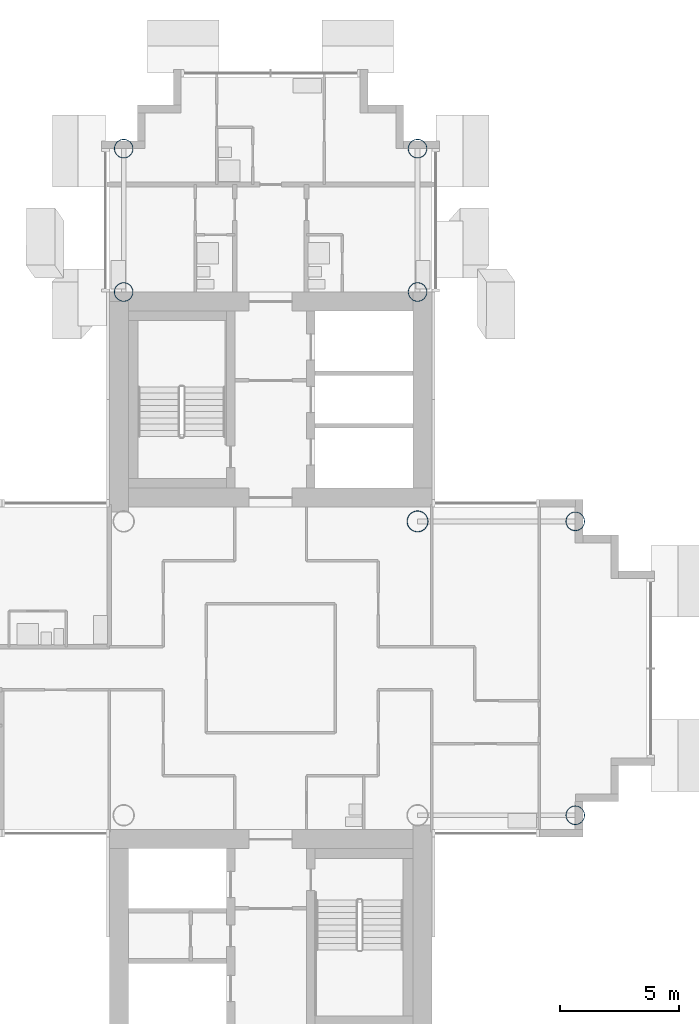
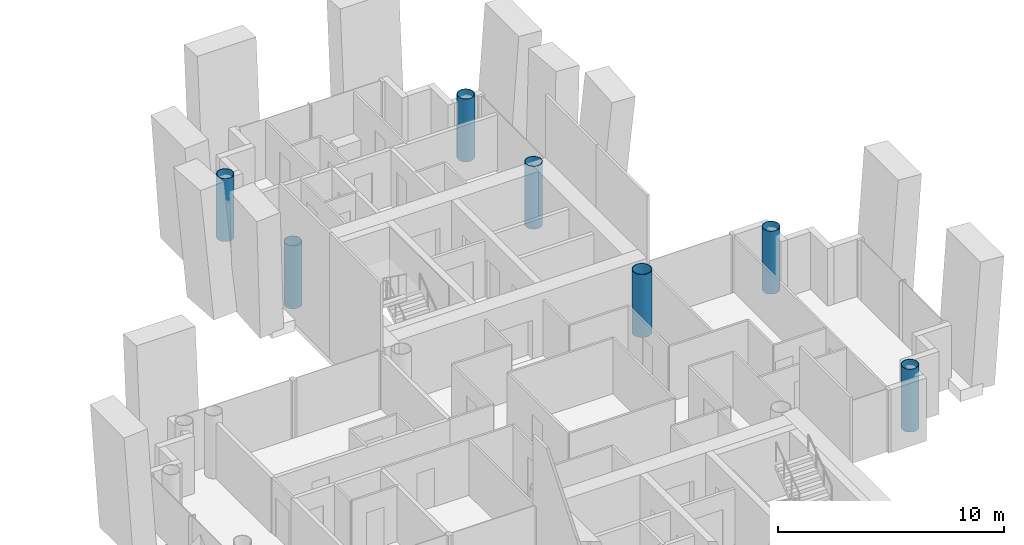
# One storey, part 2 of 18: 7 columns.
"""IFC4 building model written with IfcOpenShell, lengths in metres."""

from ifc_helpers import new_model, si_unit, direction, frame, origin, origin_2d, place, context, subcontext, project, spatial, hollow_circle, extrude, material, material_profile, profile_set, type_object, element, save


model = new_model("IFC4")

# Units and contexts
model_context = context("Model", 3, precision=1e-05, world=origin(), true_north=direction((0.0, 1.0)))
body_context = subcontext(model_context, "Body", "Model", "MODEL_VIEW")
ifc_project = project(units=[si_unit("LENGTHUNIT", "METRE"), si_unit("AREAUNIT", "SQUARE_METRE"), si_unit("VOLUMEUNIT", "CUBIC_METRE"), si_unit("PLANEANGLEUNIT", "RADIAN"), si_unit("MASSUNIT", "GRAM", prefix="KILO")], contexts=[model_context])

# Site, building, storey
site_placement = place(None, origin())
site = spatial("IfcSite", under=ifc_project, at=site_placement, CompositionType="ELEMENT")
building_placement = place(site_placement, origin())
building = spatial("IfcBuilding", under=site, at=building_placement, Name="Ipe Terrace Towers", CompositionType="ELEMENT")
storey_placement = place(building_placement, frame((0.0, 0.0, 164.300048828125)))
storey = spatial("IfcBuildingStorey", under=building, at=storey_placement, Name="L45", CompositionType="ELEMENT", Elevation=164.300048828125)

# Columns
ifc_material_1 = material(Name="Steel S355 tube with Concrete C60/75 fill", Category="concrete")
ifc_material_profile_1 = material_profile(ifc_material_1, hollow_circle(Radius=0.39990234375, WallThickness=0.028076171875, at=origin_2d()), Name="CHS-800x28")
ifc_profile_set_1 = profile_set([ifc_material_profile_1], Name="Steel S355 tube with Concrete C60/75 fill")
column_type_1 = type_object("IfcColumnType", Name="CH09 COLUMN CHS-800x28", PredefinedType="COLUMN", material=ifc_profile_set_1)
for number, where, z_axis, x_axis, name in (
    (1, (42.14990234375, 15.75, 0.0), (0.0, 0.0, 1.0), (1.0, 0.0, 0.0), "Column T2-C-A01"),
    (2, (29.85009765625, 15.75, 0.0), (0.0, 0.0, 1.0), (1.0, 0.0, 0.0), "Column T2-C-A02"),
    (3, (42.14990234375, 21.75, 0.0), (0.0, 0.0, 1.0), (1.0, 0.0, 0.0), "Column T2-C-A03"),
    (4, (29.85009765625, 21.75, 0.0), (0.0, 0.0, 1.0), (1.0, 0.0, 0.0), "Column T2-C-A04"),
    (5, (48.75, -6.14990234375, 0.0), (0.0, 0.0, 1.0), (1.0, 0.0, 0.0), "Column T2-C-D01"),
    (6, (48.75, 6.14990234375, 0.0), (0.0, 0.0, 1.0), (1.0, 0.0, 0.0), "Column T2-C-D02"),
):
    element("IfcColumn", number, at=place(storey_placement, frame(where, z_axis=z_axis, x_axis=x_axis)), inside=storey, type_object=column_type_1, Name=name, PredefinedType="COLUMN", context=body_context, shape_type="SweptSolid", body=[
        extrude(hollow_circle(Radius=0.39990234375, WallThickness=0.028076171875, at=origin_2d()), origin(), (0.0, 0.0, 1.0), 3.39990234375),
    ])
ifc_material_2 = material(Name="Steel S355 tube with Concrete C60/75 fill", Category="concrete")
ifc_material_profile_2 = material_profile(ifc_material_2, hollow_circle(Radius=0.449951171875, WallThickness=0.031982421875, at=origin_2d()), Name="CHS-900x32")
ifc_profile_set_2 = profile_set([ifc_material_profile_2], Name="Steel S355 tube with Concrete C60/75 fill")
column_type_2 = type_object("IfcColumnType", Name="CH10 COLUMN CHS-900x32", PredefinedType="COLUMN", material=ifc_profile_set_2)
column_placement = place(storey_placement, frame((42.14990234375, 6.14990234375, 0.0), z_axis=(0.0, 0.0, 1.0), x_axis=(1.0, 0.0, 0.0)))
element("IfcColumn", 7, at=column_placement, inside=storey, type_object=column_type_2, Name="Column T2-C-E02", PredefinedType="COLUMN", context=body_context, shape_type="SweptSolid", body=[
    extrude(hollow_circle(Radius=0.449951171875, WallThickness=0.031982421875, at=origin_2d()), origin(), (0.0, 0.0, 1.0), 3.39990234375),
])

save(model, "model.ifc")
